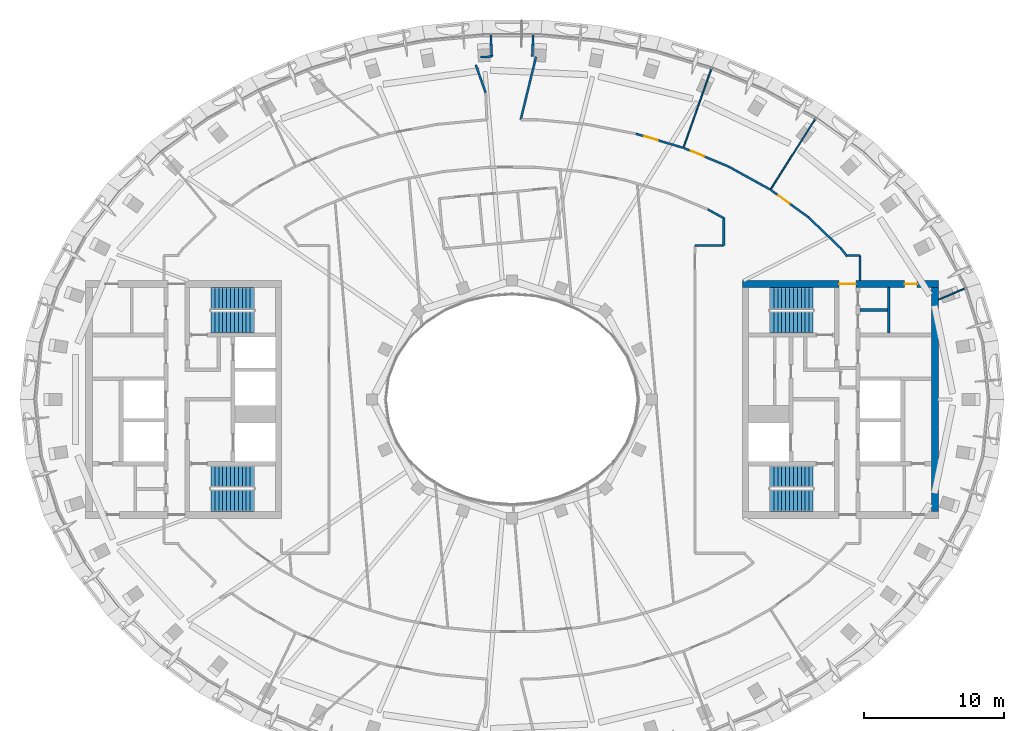
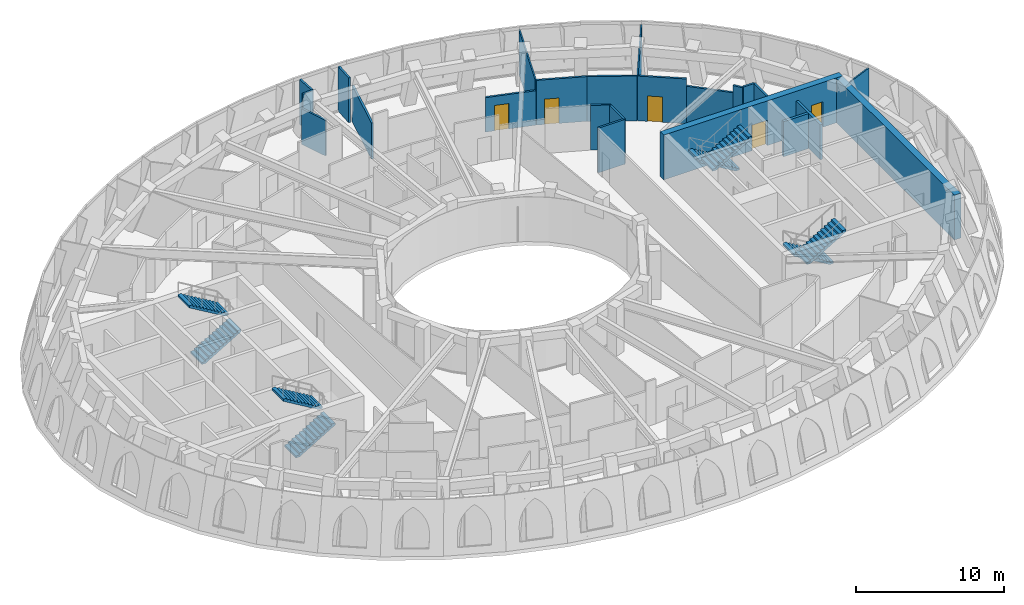
# One storey, part 7 of 14: 23 walls, 8 stair flights, 5 doors, 5 openings, 4 elements without a shape of their own.
"""IFC4 building model written with IfcOpenShell, lengths in metres."""

from ifc_helpers import new_model, si_unit, direction, frame, frame_2d, origin, place, context, subcontext, project, spatial, polyline, rectangle, outline, extrude, material, layer, layer_set, type_object, element, fill, aggregate, save


model = new_model("IFC4")

# Units and contexts
model_context = context("Model", 3, precision=1e-05, world=origin(), true_north=direction((0.0, 1.0)))
body_context = subcontext(model_context, "Body", "Model", "MODEL_VIEW")
ifc_project = project(units=[si_unit("LENGTHUNIT", "METRE"), si_unit("AREAUNIT", "SQUARE_METRE"), si_unit("VOLUMEUNIT", "CUBIC_METRE"), si_unit("PLANEANGLEUNIT", "RADIAN"), si_unit("MASSUNIT", "GRAM", prefix="KILO")], contexts=[model_context])

# Site, building, storey
site_placement = place(None, origin())
site = spatial("IfcSite", under=ifc_project, at=site_placement, CompositionType="ELEMENT")
building_placement = place(site_placement, origin())
building = spatial("IfcBuilding", under=site, at=building_placement, Name="Noorbagh Ring Tower", CompositionType="ELEMENT")
storey_placement = place(building_placement, frame((0.0, 0.0, 339.0)))
storey = spatial("IfcBuildingStorey", under=building, at=storey_placement, Name="L74", CompositionType="ELEMENT", Elevation=339.0)

# Walls
ifc_material_1 = material(Name="Gypsum board on steel studs", Category="steel")
ifc_layer_1 = layer(ifc_material_1, 0.199951171875)
ifc_layer_set_1 = layer_set([ifc_layer_1], Name="Gypsum board on steel studs")
wall_type_1 = type_object("IfcWallType", Name="CORE-PARTITION-200", PredefinedType="PARTITIONING", material=ifc_layer_set_1)
wall_1_placement = place(storey_placement, frame((26.949951171875, 4.75, 0.0), z_axis=(0.0, 0.0, 1.0), x_axis=(0.0, 1.0, 0.0)))
element("IfcWall", 1, at=wall_1_placement, inside=storey, type_object=wall_type_1, Name="Core partition E", PredefinedType="PARTITIONING", context=body_context, shape_type="SweptSolid", body=[
    extrude(rectangle(XDim=3.25, YDim=0.199951171875, at=frame_2d((1.625, 0.0))), origin(), (0.0, 0.0, 1.0), 2.89990234375),
])
wall_2_placement = place(storey_placement, frame((24.89990234375, 6.39990234375, 0.0), z_axis=(0.0, 0.0, 1.0), x_axis=(1.0, 0.0, 0.0)))
element("IfcWall", 2, at=wall_2_placement, inside=storey, type_object=wall_type_1, Name="Core partition E", PredefinedType="PARTITIONING", context=body_context, shape_type="SweptSolid", body=[
    extrude(rectangle(XDim=1.9501953125, YDim=0.199951171875, at=frame_2d((0.97509765625, 0.0))), origin(), (0.0, 0.0, 1.0), 2.89990234375),
])

# Wall, openings, doors
ifc_material_2 = material(Name="Concrete C50/60", Category="concrete")
ifc_layer_2 = layer(ifc_material_2, 0.5)
ifc_layer_set_2 = layer_set([ifc_layer_2], Name="Concrete C50/60")
wall_type_2 = type_object("IfcWallType", Name="CORE-WALL-500-C50-60-EI240", PredefinedType="SHEAR", material=ifc_layer_set_2)
wall_3_placement = place(storey_placement, frame((16.5, 8.25, 0.0), z_axis=(0.0, 0.0, 1.0), x_axis=(1.0, 0.0, 0.0)))
wall_3 = element("IfcWall", 3, at=wall_3_placement, inside=storey, type_object=wall_type_2, Name="Core wall E", PredefinedType="SHEAR", context=body_context, shape_type="SweptSolid", body=[
    extrude(rectangle(XDim=14.0, YDim=0.5, at=frame_2d((7.0, 0.0))), origin(), (0.0, 0.0, 1.0), 3.699951171875),
])
opening_1_placement = place(wall_3_placement, frame((6.89990234375, 0.0, 0.0)))
opening_1 = element("IfcOpeningElement", 4, at=opening_1_placement, cuts=wall_3, Name="Opening L74-CE08", PredefinedType="OPENING", context=body_context, shape_type="SweptSolid", body=[
    extrude(rectangle(XDim=1.199951171875, YDim=2.10009765625, at=frame_2d((0.60009765625, 1.050048828125))), frame((0.0, 0.260009765625, 0.0), z_axis=(0.0, -1.0, 0.0), x_axis=(1.0, 0.0, 0.0)), (0.0, 0.0, 1.0), 0.52001953125),
])
opening_2_placement = place(wall_3_placement, frame((11.574951171875, 0.0, 0.0)))
opening_2 = element("IfcOpeningElement", 5, at=opening_2_placement, cuts=wall_3, Name="Opening L74-CE15", PredefinedType="OPENING", context=body_context, shape_type="SweptSolid", body=[
    extrude(rectangle(XDim=0.89990234375, YDim=2.10009765625, at=frame_2d((0.449951171875, 1.050048828125))), frame((0.0, 0.260009765625, 0.0), z_axis=(0.0, -1.0, 0.0), x_axis=(1.0, 0.0, 0.0)), (0.0, 0.0, 1.0), 0.52001953125),
])
ifc_material_3 = material(Name="Steel door leaf", Category="steel")
door_type_1 = type_object("IfcDoorType", Name="CORE-DOOR-DROOM", OperationType="SINGLE_SWING_LEFT", PredefinedType="DOOR", material=ifc_material_3)
door_1_placement = place(opening_2_placement, origin())
door_1 = element("IfcDoor", 6, at=door_1_placement, inside=storey, type_object=door_type_1, Name="Core room door L74-CE15", OperationType="SINGLE_SWING_LEFT", OverallHeight=2.10009765625, OverallWidth=0.89990234375, PredefinedType="DOOR", context=body_context, shape_type="SweptSolid", body=[
    extrude(rectangle(XDim=0.89990234375, YDim=2.10009765625, at=frame_2d((0.449951171875, 1.050048828125))), frame((0.0, 0.02490234375, 0.0), z_axis=(0.0, -1.0, 0.0), x_axis=(1.0, 0.0, 0.0)), (0.0, 0.0, 1.0), 0.050048828125),
])
fill(opening_2, door_1)
ifc_material_4 = material(Name="Steel door leaf", Category="steel")
door_type_2 = type_object("IfcDoorType", Name="CORE-DOOR-PORT", OperationType="DOUBLE_DOOR_DOUBLE_SWING", PredefinedType="DOOR", material=ifc_material_4)
door_2_placement = place(opening_1_placement, origin())
door_2 = element("IfcDoor", 7, at=door_2_placement, inside=storey, type_object=door_type_2, Name="Core entrance door L74-CE08", OperationType="DOUBLE_DOOR_DOUBLE_SWING", OverallHeight=2.10009765625, OverallWidth=1.199951171875, PredefinedType="DOOR", context=body_context, shape_type="SweptSolid", body=[
    extrude(rectangle(XDim=1.199951171875, YDim=2.10009765625, at=frame_2d((0.60009765625, 1.050048828125))), frame((0.0, 0.02490234375, 0.0), z_axis=(0.0, -1.0, 0.0), x_axis=(1.0, 0.0, 0.0)), (0.0, 0.0, 1.0), 0.050048828125),
])
fill(opening_1, door_2)

# Walls
wall_4_placement = place(storey_placement, frame((30.25, -8.0, 0.0), z_axis=(0.0, 0.0, 1.0), x_axis=(0.0, 1.0, 0.0)))
element("IfcWall", 8, at=wall_4_placement, inside=storey, type_object=wall_type_2, Name="Core wall E", PredefinedType="SHEAR", context=body_context, shape_type="SweptSolid", body=[
    extrude(rectangle(XDim=16.0, YDim=0.5, at=frame_2d((8.0, 0.0))), origin(), (0.0, 0.0, 1.0), 3.699951171875),
])
ifc_material_5 = material(Name="Gypsum board on steel studs", Category="steel")
ifc_layer_3 = layer(ifc_material_5, 0.14990234375)
ifc_layer_set_3 = layer_set([ifc_layer_3], Name="Gypsum board on steel studs")
wall_type_3 = type_object("IfcWallType", Name="CORRIDOR PARTITION 150 EI 30", PredefinedType="PARTITIONING", material=ifc_layer_set_3)
wall_5_placement = place(storey_placement, frame((-2.589111328125, 23.924072265625, 0.0), z_axis=(0.0, 0.0, 1.0), x_axis=(0.333963377375, -0.942586050487, 0.0)))
element("IfcWall", 9, at=wall_5_placement, inside=storey, type_object=wall_type_3, Name="L74/wall/P56", PredefinedType="PARTITIONING", context=body_context, shape_type="SweptSolid", body=[
    extrude(rectangle(XDim=2.099609375, YDim=0.14990234375, at=frame_2d((1.0498046875, 0.0))), origin(), (0.0, 0.0, 1.0), 2.949951171875),
])
wall_6_placement = place(storey_placement, frame((-2.257080078125, 24.486083984375, 0.0), z_axis=(0.0, 0.0, 1.0), x_axis=(0.998918466608, 0.046496204902, 0.0)))
element("IfcWall", 10, at=wall_6_placement, inside=storey, type_object=wall_type_3, Name="L74/wall/P59", PredefinedType="PARTITIONING", context=body_context, shape_type="SweptSolid", body=[
    extrude(rectangle(XDim=0.81396484375, YDim=0.14990234375, at=frame_2d((0.406982421875, 0.0))), origin(), (0.0, 0.0, 1.0), 3.699951171875),
])
wall_7_placement = place(storey_placement, frame((-1.51708984375, 26.05908203125, 0.0), z_axis=(0.0, 0.0, 1.0), x_axis=(0.047497223223, -0.99887136999, 0.0)))
element("IfcWall", 11, at=wall_7_placement, inside=storey, type_object=wall_type_3, Name="L74/wall/P65", PredefinedType="PARTITIONING", context=body_context, shape_type="SweptSolid", body=[
    extrude(rectangle(XDim=1.536865234375, YDim=0.14990234375, at=frame_2d((0.7685546875, 0.0))), origin(), (0.0, 0.0, 1.0), 3.699951171875),
])
wall_8_placement = place(storey_placement, frame((0.623046875, 20.009033203125, 0.0), z_axis=(0.0, 0.0, 1.0), x_axis=(0.236331410115, 0.971672508921, 0.0)))
element("IfcWall", 12, at=wall_8_placement, inside=storey, type_object=wall_type_3, Name="L74/wall/P69", PredefinedType="PARTITIONING", context=body_context, shape_type="SweptSolid", body=[
    extrude(rectangle(XDim=4.63330078125, YDim=0.14990234375, at=frame_2d((2.316650390625, 0.0))), origin(), (0.0, 0.0, 1.0), 3.0),
])
wall_9_placement = place(storey_placement, frame((1.444091796875, 24.52392578125, 0.0), z_axis=(0.0, 0.0, 1.0), x_axis=(0.047497223223, 0.99887136999, 0.0)))
element("IfcWall", 13, at=wall_9_placement, inside=storey, type_object=wall_type_3, Name="L74/wall/P74", PredefinedType="PARTITIONING", context=body_context, shape_type="SweptSolid", body=[
    extrude(rectangle(XDim=1.536865234375, YDim=0.14990234375, at=frame_2d((0.7685546875, 0.0))), origin(), (0.0, 0.0, 1.0), 3.699951171875),
])

# Wall, opening, door
wall_10_placement = place(storey_placement, frame((8.865966796875, 19.0029296875, 0.0), z_axis=(0.0, 0.0, 1.0), x_axis=(0.958814835119, -0.284031885456, 0.0)))
wall_10 = element("IfcWall", 14, at=wall_10_placement, inside=storey, type_object=wall_type_3, Name="L74/wall/P89", PredefinedType="PARTITIONING", context=body_context, shape_type="SweptSolid", body=[
    extrude(rectangle(XDim=3.534423828125, YDim=0.14990234375, at=frame_2d((1.76708984375, 0.0))), origin(), (0.0, 0.0, 1.0), 2.85009765625),
])
opening_3_placement = place(wall_10_placement, frame((0.634521484375, 0.0, 0.0)))
opening_3 = element("IfcOpeningElement", 15, at=opening_3_placement, cuts=wall_10, Name="Opening D1", PredefinedType="OPENING", context=body_context, shape_type="SweptSolid", body=[
    extrude(rectangle(XDim=1.0, YDim=2.10009765625, at=frame_2d((0.5, 1.050048828125))), frame((0.0, 0.0849609375, 0.0), z_axis=(0.0, -1.0, 0.0), x_axis=(1.0, 0.0, 0.0)), (0.0, 0.0, 1.0), 0.169921875),
])
ifc_material_6 = material(Name="Timber, painted", Category="wood")
door_type_3 = type_object("IfcDoorType", Name="DOOR 1000 X 2100 FD30", OperationType="SINGLE_SWING_LEFT", PredefinedType="DOOR", material=ifc_material_6)
door_3_placement = place(opening_3_placement, origin())
door_3 = element("IfcDoor", 16, at=door_3_placement, inside=storey, type_object=door_type_3, Name="L74-D12", OperationType="SINGLE_SWING_RIGHT", OverallHeight=2.10009765625, OverallWidth=1.0, PredefinedType="DOOR", context=body_context, shape_type="SweptSolid", body=[
    extrude(rectangle(XDim=1.0, YDim=2.10009765625, at=frame_2d((0.5, 1.050048828125))), frame((0.0, 0.02490234375, 0.0), z_axis=(0.0, -1.0, 0.0), x_axis=(1.0, 0.0, 0.0)), (0.0, 0.0, 1.0), 0.050048828125),
])
fill(opening_3, door_3)

wall_11_placement = place(storey_placement, frame((12.27392578125, 17.990966796875, 0.0), z_axis=(0.0, 0.0, 1.0), x_axis=(0.923990257029, -0.382416010277, 0.0)))
wall_11 = element("IfcWall", 17, at=wall_11_placement, inside=storey, type_object=wall_type_3, Name="L74/wall/P96", PredefinedType="PARTITIONING", context=body_context, shape_type="SweptSolid", body=[
    extrude(rectangle(XDim=3.4697265625, YDim=0.14990234375, at=frame_2d((1.73486328125, 0.0))), origin(), (0.0, 0.0, 1.0), 3.699951171875),
])
opening_4_placement = place(wall_11_placement, frame((0.56982421875, 0.0, 0.0)))
opening_4 = element("IfcOpeningElement", 18, at=opening_4_placement, cuts=wall_11, Name="Opening D1", PredefinedType="OPENING", context=body_context, shape_type="SweptSolid", body=[
    extrude(rectangle(XDim=1.0, YDim=2.10009765625, at=frame_2d((0.5, 1.050048828125))), frame((0.0, 0.0849609375, 0.0), z_axis=(0.0, -1.0, 0.0), x_axis=(1.0, 0.0, 0.0)), (0.0, 0.0, 1.0), 0.169921875),
])
door_4_placement = place(opening_4_placement, origin())
door_4 = element("IfcDoor", 19, at=door_4_placement, inside=storey, type_object=door_type_3, Name="L74-D14", OperationType="SINGLE_SWING_RIGHT", OverallHeight=2.10009765625, OverallWidth=1.0, PredefinedType="DOOR", context=body_context, shape_type="SweptSolid", body=[
    extrude(rectangle(XDim=1.0, YDim=2.10009765625, at=frame_2d((0.5, 1.050048828125))), frame((0.0, 0.02490234375, 0.0), z_axis=(0.0, -1.0, 0.0), x_axis=(1.0, 0.0, 0.0)), (0.0, 0.0, 1.0), 0.050048828125),
])
fill(opening_4, door_4)

# Walls
wall_12_placement = place(storey_placement, frame((13.10009765625, 11.0, 0.0), z_axis=(0.0, 0.0, 1.0), x_axis=(1.0, 0.0, 0.0)))
element("IfcWall", 20, at=wall_12_placement, inside=storey, type_object=wall_type_3, Name="L74/wall/P99", PredefinedType="PARTITIONING", context=body_context, shape_type="SweptSolid", body=[
    extrude(rectangle(XDim=2.04296875, YDim=0.14990234375, at=frame_2d((1.021484375, 0.0))), origin(), (0.0, 0.0, 1.0), 3.699951171875),
])
wall_13_placement = place(storey_placement, frame((14.0029296875, 13.595947265625, 0.0), z_axis=(0.0, 0.0, 1.0), x_axis=(0.875423712413, -0.483356311374, 0.0)))
element("IfcWall", 21, at=wall_13_placement, inside=storey, type_object=wall_type_3, Name="L74/wall/P101", PredefinedType="PARTITIONING", context=body_context, shape_type="SweptSolid", body=[
    extrude(rectangle(XDim=1.387939453125, YDim=0.14990234375, at=frame_2d((0.69384765625, 0.0))), origin(), (0.0, 0.0, 1.0), 3.699951171875),
])
wall_14_placement = place(storey_placement, frame((15.14306640625, 11.0, 0.0), z_axis=(0.0, 0.0, 1.0), x_axis=(0.0, 1.0, 0.0)))
element("IfcWall", 22, at=wall_14_placement, inside=storey, type_object=wall_type_3, Name="L74/wall/P102", PredefinedType="PARTITIONING", context=body_context, shape_type="SweptSolid", body=[
    extrude(rectangle(XDim=1.8798828125, YDim=0.14990234375, at=frame_2d((0.93994140625, 0.0))), origin(), (0.0, 0.0, 1.0), 3.699951171875),
])
wall_15_placement = place(storey_placement, frame((15.47998046875, 16.6640625, 0.0), z_axis=(0.0, 0.0, 1.0), x_axis=(0.875303781325, -0.483573459154, 0.0)))
element("IfcWall", 23, at=wall_15_placement, inside=storey, type_object=wall_type_3, Name="L74/wall/P104", PredefinedType="PARTITIONING", context=body_context, shape_type="SweptSolid", body=[
    extrude(rectangle(XDim=3.407958984375, YDim=0.14990234375, at=frame_2d((1.7041015625, 0.0))), origin(), (0.0, 0.0, 1.0), 3.699951171875),
])

# Wall, opening, door
wall_16_placement = place(storey_placement, frame((18.4970703125, 14.993896484375, 0.0), z_axis=(0.0, 0.0, 1.0), x_axis=(0.809594758268, -0.58698920551, 0.0)))
wall_16 = element("IfcWall", 24, at=wall_16_placement, inside=storey, type_object=wall_type_3, Name="L74/wall/P110", PredefinedType="PARTITIONING", context=body_context, shape_type="SweptSolid", body=[
    extrude(rectangle(XDim=3.32861328125, YDim=0.14990234375, at=frame_2d((1.664306640625, 0.0))), origin(), (0.0, 0.0, 1.0), 3.699951171875),
])
opening_5_placement = place(wall_16_placement, frame((0.6787109375, 0.0, 0.0)))
opening_5 = element("IfcOpeningElement", 25, at=opening_5_placement, cuts=wall_16, Name="Opening D1", PredefinedType="OPENING", context=body_context, shape_type="SweptSolid", body=[
    extrude(rectangle(XDim=1.0, YDim=2.10009765625, at=frame_2d((0.5, 1.050048828125))), frame((0.0, 0.0849609375, 0.0), z_axis=(0.0, -1.0, 0.0), x_axis=(1.0, 0.0, 0.0)), (0.0, 0.0, 1.0), 0.169921875),
])
door_5_placement = place(opening_5_placement, origin())
door_5 = element("IfcDoor", 26, at=door_5_placement, inside=storey, type_object=door_type_3, Name="L74-D16", OperationType="SINGLE_SWING_RIGHT", OverallHeight=2.10009765625, OverallWidth=1.0, PredefinedType="DOOR", context=body_context, shape_type="SweptSolid", body=[
    extrude(rectangle(XDim=1.0, YDim=2.10009765625, at=frame_2d((0.5, 1.050048828125))), frame((0.0, 0.02490234375, 0.0), z_axis=(0.0, -1.0, 0.0), x_axis=(1.0, 0.0, 0.0)), (0.0, 0.0, 1.0), 0.050048828125),
])
fill(opening_5, door_5)

# Walls
wall_17_placement = place(storey_placement, frame((21.19189453125, 13.0400390625, 0.0), z_axis=(0.0, 0.0, 1.0), x_axis=(0.722478767451, -0.691393108573, 0.0)))
element("IfcWall", 27, at=wall_17_placement, inside=storey, type_object=wall_type_3, Name="L74/wall/P112", PredefinedType="PARTITIONING", context=body_context, shape_type="SweptSolid", body=[
    extrude(rectangle(XDim=3.25146484375, YDim=0.14990234375, at=frame_2d((1.625732421875, 0.0))), origin(), (0.0, 0.0, 1.0), 3.10009765625),
])
wall_18_placement = place(storey_placement, frame((23.541015625, 10.7919921875, 0.0), z_axis=(0.0, 0.0, 1.0), x_axis=(0.610534604142, -0.791989581462, 0.0)))
element("IfcWall", 28, at=wall_18_placement, inside=storey, type_object=wall_type_3, Name="L74/wall/P114", PredefinedType="PARTITIONING", context=body_context, shape_type="SweptSolid", body=[
    extrude(rectangle(XDim=0.7158203125, YDim=0.14990234375, at=frame_2d((0.35791015625, 0.0))), origin(), (0.0, 0.0, 1.0), 3.699951171875),
])
wall_19_placement = place(storey_placement, frame((24.014892578125, 10.300048828125, 0.0), z_axis=(0.0, 0.0, 1.0), x_axis=(1.0, 0.0, 0.0)))
element("IfcWall", 29, at=wall_19_placement, inside=storey, type_object=wall_type_3, Name="L74/wall/P116", PredefinedType="PARTITIONING", context=body_context, shape_type="SweptSolid", body=[
    extrude(rectangle(XDim=0.885009765625, YDim=0.14990234375, at=frame_2d((0.4423828125, 0.0))), origin(), (0.0, 0.0, 1.0), 3.699951171875),
])
wall_20_placement = place(storey_placement, frame((24.89990234375, 8.5, 0.0), z_axis=(0.0, 0.0, 1.0), x_axis=(0.0, 1.0, 0.0)))
element("IfcWall", 30, at=wall_20_placement, inside=storey, type_object=wall_type_3, Name="L74/wall/P118", PredefinedType="PARTITIONING", context=body_context, shape_type="SweptSolid", body=[
    extrude(rectangle(XDim=1.800048828125, YDim=0.14990234375, at=frame_2d((0.89990234375, 0.0))), origin(), (0.0, 0.0, 1.0), 3.699951171875),
])
ifc_material_7 = material(Name="Gypsum board on steel studs", Category="steel")
ifc_layer_4 = layer(ifc_material_7, 0.10009765625)
ifc_layer_set_4 = layer_set([ifc_layer_4], Name="Gypsum board on steel studs")
wall_type_4 = type_object("IfcWallType", Name="PARTITION 100 GYPSUM", PredefinedType="PARTITIONING", material=ifc_layer_set_4)
wall_21_placement = place(storey_placement, frame((12.257080078125, 18.0029296875, 0.0), z_axis=(0.0, 0.0, 1.0), x_axis=(0.333811311279, 0.942639914528, 0.0)))
element("IfcWall", 31, at=wall_21_placement, inside=storey, type_object=wall_type_4, Name="L74/wall/P94", PredefinedType="PARTITIONING", context=body_context, shape_type="SweptSolid", body=[
    extrude(rectangle(XDim=6.05419921875, YDim=0.10009765625, at=frame_2d((3.027099609375, 0.0))), origin(), (0.0, 0.0, 1.0), 3.699951171875),
])
wall_22_placement = place(storey_placement, frame((18.48291015625, 15.009033203125, 0.0), z_axis=(0.0, 0.0, 1.0), x_axis=(0.536392917265, 0.843968387031, 0.0)))
element("IfcWall", 32, at=wall_22_placement, inside=storey, type_object=wall_type_4, Name="L74/wall/P108", PredefinedType="PARTITIONING", context=body_context, shape_type="SweptSolid", body=[
    extrude(rectangle(XDim=6.05712890625, YDim=0.10009765625, at=frame_2d((3.028564453125, 0.0))), origin(), (0.0, 0.0, 1.0), 3.699951171875),
])
wall_23_placement = place(storey_placement, frame((30.50390625, 7.14501953125, 0.0), z_axis=(0.0, 0.0, 1.0), x_axis=(0.9232995126, 0.384080733744, 0.0)))
element("IfcWall", 33, at=wall_23_placement, inside=storey, type_object=wall_type_4, Name="L74/wall/P119", PredefinedType="PARTITIONING", context=body_context, shape_type="SweptSolid", body=[
    extrude(rectangle(XDim=2.14013671875, YDim=0.10009765625, at=frame_2d((1.070068359375, 0.0))), origin(), (0.0, 0.0, 1.0), 3.699951171875),
])

# Stair, stair flights
ifc_material_8 = material(Name="Concrete C40/50", Category="concrete")
stair_type = type_object("IfcStairType", Name="CORE-STAIR", PredefinedType="HALF_TURN_STAIR", material=ifc_material_8)
stair_1_placement = place(storey_placement, origin())
stair_1 = element("IfcStair", 34, at=stair_1_placement, inside=storey, type_object=stair_type, Name="L74 Exit stair ST1", PredefinedType="HALF_TURN_STAIR")
ifc_material_9 = material(Name="Concrete C40/50", Category="concrete")
stair_flight_type = type_object("IfcStairFlightType", Name="CORE-STAIR-FLIGHT", PredefinedType="STRAIGHT", material=ifc_material_9)
stair_flight_1_placement = place(storey_placement, frame((-21.530029296875, 5.52490234375, 0.0), z_axis=(0.0, 0.0, 1.0), x_axis=(1.0, 0.0, 0.0)))
stair_flight_1 = element("IfcStairFlight", 35, at=stair_flight_1_placement, type_object=stair_flight_type, Name="ST1 flight 1", NumberOfRisers=12, NumberOfTreads=11, PredefinedType="STRAIGHT", RiserHeight=0.166666667, TreadLength=0.28, context=body_context, shape_type="SweptSolid", body=[
    extrude(outline(polyline([(0.0, 0.0), (0.0, 0.166748046875), (0.280029296875, 0.166748046875), (0.280029296875, 0.333251953125), (0.56005859375, 0.333251953125), (0.56005859375, 0.5), (0.840087890625, 0.5), (0.840087890625, 0.666748046875), (1.1201171875, 0.666748046875), (1.1201171875, 0.833251953125), (1.39990234375, 0.833251953125), (1.39990234375, 1.0), (1.679931640625, 1.0), (1.679931640625, 1.166748046875), (1.9599609375, 1.166748046875), (1.9599609375, 1.333251953125), (2.239990234375, 1.333251953125), (2.239990234375, 1.5), (2.52001953125, 1.5), (2.52001953125, 1.666748046875), (2.800048828125, 1.666748046875), (2.800048828125, 1.833251953125), (3.080078125, 1.833251953125), (3.080078125, 2.0), (3.080078125, 1.658935546875), (0.29296875, 0.0), (0.0, 0.0)])), frame((0.0, 0.77490234375, 0.0), z_axis=(0.0, -1.0, 0.0), x_axis=(1.0, 0.0, 0.0)), (0.0, 0.0, 1.0), 1.550048828125),
])
stair_flight_2_placement = place(storey_placement, frame((-18.449951171875, 7.22509765625, 2.0), z_axis=(0.0, 0.0, 1.0), x_axis=(-1.0, 0.0, 0.0)))
stair_flight_2 = element("IfcStairFlight", 36, at=stair_flight_2_placement, type_object=stair_flight_type, Name="ST1 flight 2", NumberOfRisers=12, NumberOfTreads=11, PredefinedType="STRAIGHT", RiserHeight=0.166666667, TreadLength=0.28, context=body_context, shape_type="SweptSolid", body=[
    extrude(outline(polyline([(0.0, 0.0), (0.0, 0.166748046875), (0.280029296875, 0.166748046875), (0.280029296875, 0.333251953125), (0.56005859375, 0.333251953125), (0.56005859375, 0.5), (0.840087890625, 0.5), (0.840087890625, 0.666748046875), (1.1201171875, 0.666748046875), (1.1201171875, 0.833251953125), (1.39990234375, 0.833251953125), (1.39990234375, 1.0), (1.679931640625, 1.0), (1.679931640625, 1.166748046875), (1.9599609375, 1.166748046875), (1.9599609375, 1.333251953125), (2.239990234375, 1.333251953125), (2.239990234375, 1.5), (2.52001953125, 1.5), (2.52001953125, 1.666748046875), (2.800048828125, 1.666748046875), (2.800048828125, 1.833251953125), (3.080078125, 1.833251953125), (3.080078125, 2.0), (3.080078125, 1.658935546875), (0.29296875, 0.0), (0.0, 0.0)])), frame((0.0, 0.77490234375, 0.0), z_axis=(0.0, -1.0, 0.0), x_axis=(1.0, 0.0, 0.0)), (0.0, 0.0, 1.0), 1.550048828125),
])
aggregate(stair_1, [stair_flight_1, stair_flight_2])

stair_2_placement = place(storey_placement, origin())
stair_2 = element("IfcStair", 37, at=stair_2_placement, inside=storey, type_object=stair_type, Name="L74 Exit stair ST2", PredefinedType="HALF_TURN_STAIR")
stair_flight_3_placement = place(storey_placement, frame((-21.530029296875, -7.22509765625, 0.0), z_axis=(0.0, 0.0, 1.0), x_axis=(1.0, 0.0, 0.0)))
stair_flight_3 = element("IfcStairFlight", 38, at=stair_flight_3_placement, type_object=stair_flight_type, Name="ST2 flight 1", NumberOfRisers=12, NumberOfTreads=11, PredefinedType="STRAIGHT", RiserHeight=0.166666667, TreadLength=0.28, context=body_context, shape_type="SweptSolid", body=[
    extrude(outline(polyline([(0.0, 0.0), (0.0, 0.166748046875), (0.280029296875, 0.166748046875), (0.280029296875, 0.333251953125), (0.56005859375, 0.333251953125), (0.56005859375, 0.5), (0.840087890625, 0.5), (0.840087890625, 0.666748046875), (1.1201171875, 0.666748046875), (1.1201171875, 0.833251953125), (1.39990234375, 0.833251953125), (1.39990234375, 1.0), (1.679931640625, 1.0), (1.679931640625, 1.166748046875), (1.9599609375, 1.166748046875), (1.9599609375, 1.333251953125), (2.239990234375, 1.333251953125), (2.239990234375, 1.5), (2.52001953125, 1.5), (2.52001953125, 1.666748046875), (2.800048828125, 1.666748046875), (2.800048828125, 1.833251953125), (3.080078125, 1.833251953125), (3.080078125, 2.0), (3.080078125, 1.658935546875), (0.29296875, 0.0), (0.0, 0.0)])), frame((0.0, 0.77490234375, 0.0), z_axis=(0.0, -1.0, 0.0), x_axis=(1.0, 0.0, 0.0)), (0.0, 0.0, 1.0), 1.550048828125),
])
stair_flight_4_placement = place(storey_placement, frame((-18.449951171875, -5.52490234375, 2.0), z_axis=(0.0, 0.0, 1.0), x_axis=(-1.0, 0.0, 0.0)))
stair_flight_4 = element("IfcStairFlight", 39, at=stair_flight_4_placement, type_object=stair_flight_type, Name="ST2 flight 2", NumberOfRisers=12, NumberOfTreads=11, PredefinedType="STRAIGHT", RiserHeight=0.166666667, TreadLength=0.28, context=body_context, shape_type="SweptSolid", body=[
    extrude(outline(polyline([(0.0, 0.0), (0.0, 0.166748046875), (0.280029296875, 0.166748046875), (0.280029296875, 0.333251953125), (0.56005859375, 0.333251953125), (0.56005859375, 0.5), (0.840087890625, 0.5), (0.840087890625, 0.666748046875), (1.1201171875, 0.666748046875), (1.1201171875, 0.833251953125), (1.39990234375, 0.833251953125), (1.39990234375, 1.0), (1.679931640625, 1.0), (1.679931640625, 1.166748046875), (1.9599609375, 1.166748046875), (1.9599609375, 1.333251953125), (2.239990234375, 1.333251953125), (2.239990234375, 1.5), (2.52001953125, 1.5), (2.52001953125, 1.666748046875), (2.800048828125, 1.666748046875), (2.800048828125, 1.833251953125), (3.080078125, 1.833251953125), (3.080078125, 2.0), (3.080078125, 1.658935546875), (0.29296875, 0.0), (0.0, 0.0)])), frame((0.0, 0.77490234375, 0.0), z_axis=(0.0, -1.0, 0.0), x_axis=(1.0, 0.0, 0.0)), (0.0, 0.0, 1.0), 1.550048828125),
])
aggregate(stair_2, [stair_flight_3, stair_flight_4])

stair_3_placement = place(storey_placement, origin())
stair_3 = element("IfcStair", 40, at=stair_3_placement, inside=storey, type_object=stair_type, Name="L74 Exit stair ST3", PredefinedType="HALF_TURN_STAIR")
stair_flight_5_placement = place(storey_placement, frame((21.530029296875, 7.22509765625, 0.0), z_axis=(0.0, 0.0, 1.0), x_axis=(-1.0, 0.0, 0.0)))
stair_flight_5 = element("IfcStairFlight", 41, at=stair_flight_5_placement, type_object=stair_flight_type, Name="ST3 flight 1", NumberOfRisers=12, NumberOfTreads=11, PredefinedType="STRAIGHT", RiserHeight=0.166666667, TreadLength=0.28, context=body_context, shape_type="SweptSolid", body=[
    extrude(outline(polyline([(0.0, 0.0), (0.0, 0.166748046875), (0.280029296875, 0.166748046875), (0.280029296875, 0.333251953125), (0.56005859375, 0.333251953125), (0.56005859375, 0.5), (0.840087890625, 0.5), (0.840087890625, 0.666748046875), (1.1201171875, 0.666748046875), (1.1201171875, 0.833251953125), (1.39990234375, 0.833251953125), (1.39990234375, 1.0), (1.679931640625, 1.0), (1.679931640625, 1.166748046875), (1.9599609375, 1.166748046875), (1.9599609375, 1.333251953125), (2.239990234375, 1.333251953125), (2.239990234375, 1.5), (2.52001953125, 1.5), (2.52001953125, 1.666748046875), (2.800048828125, 1.666748046875), (2.800048828125, 1.833251953125), (3.080078125, 1.833251953125), (3.080078125, 2.0), (3.080078125, 1.658935546875), (0.29296875, 0.0), (0.0, 0.0)])), frame((0.0, 0.77490234375, 0.0), z_axis=(0.0, -1.0, 0.0), x_axis=(1.0, 0.0, 0.0)), (0.0, 0.0, 1.0), 1.550048828125),
])
stair_flight_6_placement = place(storey_placement, frame((18.449951171875, 5.52490234375, 2.0), z_axis=(0.0, 0.0, 1.0), x_axis=(1.0, 0.0, 0.0)))
stair_flight_6 = element("IfcStairFlight", 42, at=stair_flight_6_placement, type_object=stair_flight_type, Name="ST3 flight 2", NumberOfRisers=12, NumberOfTreads=11, PredefinedType="STRAIGHT", RiserHeight=0.166666667, TreadLength=0.28, context=body_context, shape_type="SweptSolid", body=[
    extrude(outline(polyline([(0.0, 0.0), (0.0, 0.166748046875), (0.280029296875, 0.166748046875), (0.280029296875, 0.333251953125), (0.56005859375, 0.333251953125), (0.56005859375, 0.5), (0.840087890625, 0.5), (0.840087890625, 0.666748046875), (1.1201171875, 0.666748046875), (1.1201171875, 0.833251953125), (1.39990234375, 0.833251953125), (1.39990234375, 1.0), (1.679931640625, 1.0), (1.679931640625, 1.166748046875), (1.9599609375, 1.166748046875), (1.9599609375, 1.333251953125), (2.239990234375, 1.333251953125), (2.239990234375, 1.5), (2.52001953125, 1.5), (2.52001953125, 1.666748046875), (2.800048828125, 1.666748046875), (2.800048828125, 1.833251953125), (3.080078125, 1.833251953125), (3.080078125, 2.0), (3.080078125, 1.658935546875), (0.29296875, 0.0), (0.0, 0.0)])), frame((0.0, 0.77490234375, 0.0), z_axis=(0.0, -1.0, 0.0), x_axis=(1.0, 0.0, 0.0)), (0.0, 0.0, 1.0), 1.550048828125),
])
aggregate(stair_3, [stair_flight_5, stair_flight_6])

stair_4_placement = place(storey_placement, origin())
stair_4 = element("IfcStair", 43, at=stair_4_placement, inside=storey, type_object=stair_type, Name="L74 Exit stair ST4", PredefinedType="HALF_TURN_STAIR")
stair_flight_7_placement = place(storey_placement, frame((21.530029296875, -5.52490234375, 0.0), z_axis=(0.0, 0.0, 1.0), x_axis=(-1.0, 0.0, 0.0)))
stair_flight_7 = element("IfcStairFlight", 44, at=stair_flight_7_placement, type_object=stair_flight_type, Name="ST4 flight 1", NumberOfRisers=12, NumberOfTreads=11, PredefinedType="STRAIGHT", RiserHeight=0.166666667, TreadLength=0.28, context=body_context, shape_type="SweptSolid", body=[
    extrude(outline(polyline([(0.0, 0.0), (0.0, 0.166748046875), (0.280029296875, 0.166748046875), (0.280029296875, 0.333251953125), (0.56005859375, 0.333251953125), (0.56005859375, 0.5), (0.840087890625, 0.5), (0.840087890625, 0.666748046875), (1.1201171875, 0.666748046875), (1.1201171875, 0.833251953125), (1.39990234375, 0.833251953125), (1.39990234375, 1.0), (1.679931640625, 1.0), (1.679931640625, 1.166748046875), (1.9599609375, 1.166748046875), (1.9599609375, 1.333251953125), (2.239990234375, 1.333251953125), (2.239990234375, 1.5), (2.52001953125, 1.5), (2.52001953125, 1.666748046875), (2.800048828125, 1.666748046875), (2.800048828125, 1.833251953125), (3.080078125, 1.833251953125), (3.080078125, 2.0), (3.080078125, 1.658935546875), (0.29296875, 0.0), (0.0, 0.0)])), frame((0.0, 0.77490234375, 0.0), z_axis=(0.0, -1.0, 0.0), x_axis=(1.0, 0.0, 0.0)), (0.0, 0.0, 1.0), 1.550048828125),
])
stair_flight_8_placement = place(storey_placement, frame((18.449951171875, -7.22509765625, 2.0), z_axis=(0.0, 0.0, 1.0), x_axis=(1.0, 0.0, 0.0)))
stair_flight_8 = element("IfcStairFlight", 45, at=stair_flight_8_placement, type_object=stair_flight_type, Name="ST4 flight 2", NumberOfRisers=12, NumberOfTreads=11, PredefinedType="STRAIGHT", RiserHeight=0.166666667, TreadLength=0.28, context=body_context, shape_type="SweptSolid", body=[
    extrude(outline(polyline([(0.0, 0.0), (0.0, 0.166748046875), (0.280029296875, 0.166748046875), (0.280029296875, 0.333251953125), (0.56005859375, 0.333251953125), (0.56005859375, 0.5), (0.840087890625, 0.5), (0.840087890625, 0.666748046875), (1.1201171875, 0.666748046875), (1.1201171875, 0.833251953125), (1.39990234375, 0.833251953125), (1.39990234375, 1.0), (1.679931640625, 1.0), (1.679931640625, 1.166748046875), (1.9599609375, 1.166748046875), (1.9599609375, 1.333251953125), (2.239990234375, 1.333251953125), (2.239990234375, 1.5), (2.52001953125, 1.5), (2.52001953125, 1.666748046875), (2.800048828125, 1.666748046875), (2.800048828125, 1.833251953125), (3.080078125, 1.833251953125), (3.080078125, 2.0), (3.080078125, 1.658935546875), (0.29296875, 0.0), (0.0, 0.0)])), frame((0.0, 0.77490234375, 0.0), z_axis=(0.0, -1.0, 0.0), x_axis=(1.0, 0.0, 0.0)), (0.0, 0.0, 1.0), 1.550048828125),
])
aggregate(stair_4, [stair_flight_7, stair_flight_8])

save(model, "model.ifc")
